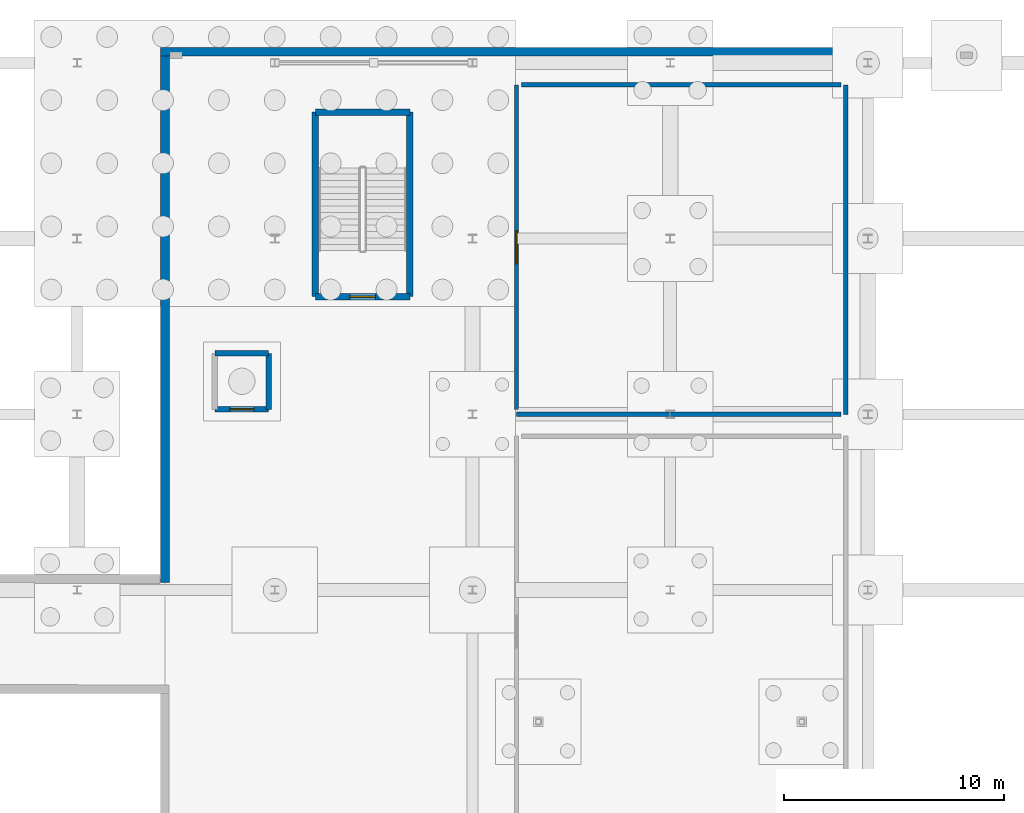
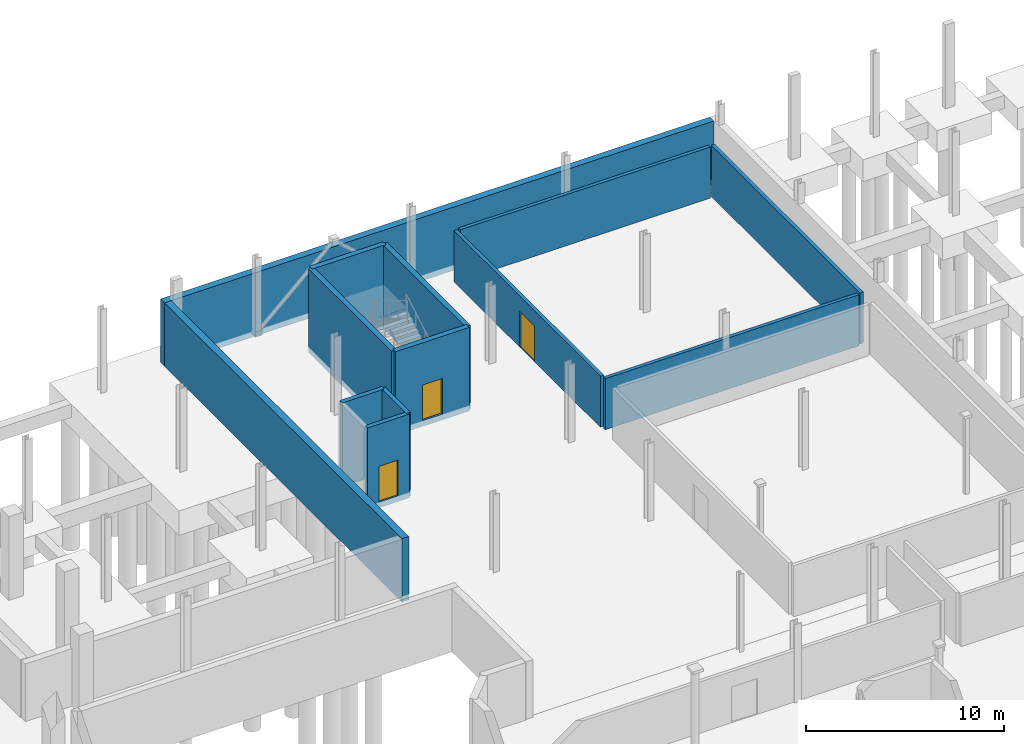
# One storey, part 29 of 37: 13 walls, 3 doors, 3 openings.
"""IFC4 building model written with IfcOpenShell, lengths in metres."""

from ifc_helpers import new_model, si_unit, direction, frame, frame_2d, origin, place, context, subcontext, project, spatial, rectangle, extrude, material, layer, layer_set, type_object, element, fill, save


model = new_model("IFC4")

# Units and contexts
model_context = context("Model", 3, precision=1e-05, world=origin(), true_north=direction((0.0, 1.0)))
body_context = subcontext(model_context, "Body", "Model", "MODEL_VIEW")
ifc_project = project(units=[si_unit("LENGTHUNIT", "METRE"), si_unit("AREAUNIT", "SQUARE_METRE"), si_unit("VOLUMEUNIT", "CUBIC_METRE"), si_unit("PLANEANGLEUNIT", "RADIAN"), si_unit("MASSUNIT", "GRAM", prefix="KILO"), si_unit("THERMODYNAMICTEMPERATUREUNIT", "KELVIN"), si_unit("POWERUNIT", "WATT")], contexts=[model_context])

# Site, building, storey
site_placement = place(None, origin())
site = spatial("IfcSite", under=ifc_project, at=site_placement, CompositionType="ELEMENT")
building_placement = place(site_placement, origin())
building = spatial("IfcBuilding", under=site, at=building_placement, Name="Zelmaris Science Centre", CompositionType="ELEMENT")
storey_placement = place(building_placement, frame((0.0, 0.0, -4.800048828125)))
storey = spatial("IfcBuildingStorey", under=building, at=storey_placement, Name="B1", CompositionType="ELEMENT", Elevation=-4.800048828125)

# Wall, opening, door
ifc_material_1 = material(Name="Concrete C40/50", Category="concrete")
ifc_layer_1 = layer(ifc_material_1, 0.300048828125, Name="Concrete C40/50")
ifc_layer_set_1 = layer_set([ifc_layer_1], Name="Concrete C40/50")
wall_type_1 = type_object("IfcWallType", Name="Core Shear Wall CW-S1 300mm", PredefinedType="SOLIDWALL", material=ifc_layer_set_1)
wall_1_placement = place(storey_placement, frame((69.14990234375, 77.35009765625, -0.349853515625), z_axis=(0.0, 0.0, 1.0), x_axis=(-1.0, 0.0, 0.0)))
wall_1 = element("IfcWall", 1, at=wall_1_placement, inside=storey, type_object=wall_type_1, Name="B1 ST-3 core shear wall near", PredefinedType="SOLIDWALL", context=body_context, shape_type="SweptSolid", body=[
    extrude(rectangle(XDim=4.2998046875, YDim=0.300048828125, at=frame_2d((2.14990234375, 0.0))), origin(), (0.0, 0.0, 1.0), 5.14990234375),
])
opening_1_placement = place(wall_1_placement, frame((1.574951171875, 0.0, 0.35009765625)))
opening_1 = element("IfcOpeningElement", 2, at=opening_1_placement, cuts=wall_1, Name="Opening D-FD90", PredefinedType="OPENING", context=body_context, shape_type="SweptSolid", body=[
    extrude(rectangle(XDim=1.14990234375, YDim=2.199951171875, at=frame_2d((0.574951171875, 1.10009765625))), frame((0.0, 0.159912109375, 0.0), z_axis=(0.0, -1.0, 0.0), x_axis=(1.0, 0.0, 0.0)), (0.0, 0.0, 1.0), 0.320068359375),
])
ifc_material_2 = material(Name="Steel ASTM A36", Category="steel")
door_type_1 = type_object("IfcDoorType", Name="Interior Door D-FD90 1150x2200", OperationType="NOTDEFINED", PredefinedType="DOOR", material=ifc_material_2)
door_1_placement = place(opening_1_placement, origin())
door_1 = element("IfcDoor", 3, at=door_1_placement, inside=storey, type_object=door_type_1, Name="B1 ST-3 exit stair fire door", OperationType="SINGLE_SWING_LEFT", OverallHeight=2.199951171875, OverallWidth=1.14990234375, PredefinedType="DOOR", context=body_context, shape_type="SweptSolid", body=[
    extrude(rectangle(XDim=1.14990234375, YDim=2.199951171875, at=frame_2d((0.574951171875, 1.10009765625))), frame((0.0, 0.02490234375, 0.0), z_axis=(0.0, -1.0, 0.0), x_axis=(1.0, 0.0, 0.0)), (0.0, 0.0, 1.0), 0.050048828125),
])
fill(opening_1, door_1)

# Walls
wall_2_placement = place(storey_placement, frame((69.14990234375, 77.35009765625, -0.349853515625), z_axis=(0.0, 0.0, 1.0), x_axis=(0.0, 1.0, 0.0)))
element("IfcWall", 4, at=wall_2_placement, inside=storey, type_object=wall_type_1, Name="B1 ST-3 core shear wall east", PredefinedType="SOLIDWALL", context=body_context, shape_type="SweptSolid", body=[
    extrude(rectangle(XDim=8.39990234375, YDim=0.300048828125, at=frame_2d((4.199951171875, 0.0))), origin(), (0.0, 0.0, 1.0), 5.14990234375),
])
wall_3_placement = place(storey_placement, frame((69.14990234375, 85.75, -0.349853515625), z_axis=(0.0, 0.0, 1.0), x_axis=(-1.0, 0.0, 0.0)))
element("IfcWall", 5, at=wall_3_placement, inside=storey, type_object=wall_type_1, Name="B1 ST-3 core shear wall far", PredefinedType="SOLIDWALL", context=body_context, shape_type="SweptSolid", body=[
    extrude(rectangle(XDim=4.2998046875, YDim=0.300048828125, at=frame_2d((2.14990234375, 0.0))), origin(), (0.0, 0.0, 1.0), 5.14990234375),
])
wall_4_placement = place(storey_placement, frame((64.85009765625, 77.35009765625, -0.349853515625), z_axis=(0.0, 0.0, 1.0), x_axis=(0.0, 1.0, 0.0)))
element("IfcWall", 6, at=wall_4_placement, inside=storey, type_object=wall_type_1, Name="B1 ST-3 core shear wall west", PredefinedType="SOLIDWALL", context=body_context, shape_type="SweptSolid", body=[
    extrude(rectangle(XDim=8.39990234375, YDim=0.300048828125, at=frame_2d((4.199951171875, 0.0))), origin(), (0.0, 0.0, 1.0), 5.14990234375),
])

# Wall, opening, door
ifc_layer_2 = layer(ifc_material_1, 0.25, Name="Concrete C40/50")
ifc_layer_set_2 = layer_set([ifc_layer_2], Name="Concrete C40/50")
wall_type_2 = type_object("IfcWallType", Name="Core Shear Wall CW-S2 250mm", PredefinedType="SOLIDWALL", material=ifc_layer_set_2)
wall_5_placement = place(storey_placement, frame((60.27490234375, 72.22509765625, -0.349853515625), z_axis=(0.0, 0.0, 1.0), x_axis=(1.0, 0.0, 0.0)))
wall_5 = element("IfcWall", 7, at=wall_5_placement, inside=storey, type_object=wall_type_2, Name="B1 LP-03 lift shaft wall -y", PredefinedType="SOLIDWALL", context=body_context, shape_type="SweptSolid", body=[
    extrude(rectangle(XDim=2.4501953125, YDim=0.25, at=frame_2d((1.22509765625, 0.0))), origin(), (0.0, 0.0, 1.0), 5.14990234375),
])
opening_2_placement = place(wall_5_placement, frame((0.675048828125, 0.0, 0.35009765625)))
opening_2 = element("IfcOpeningElement", 8, at=opening_2_placement, cuts=wall_5, Name="Opening LD-01", PredefinedType="OPENING", context=body_context, shape_type="SweptSolid", body=[
    extrude(rectangle(XDim=1.10009765625, YDim=2.199951171875, at=frame_2d((0.550048828125, 1.10009765625))), frame((0.0, 0.135009765625, 0.0), z_axis=(0.0, -1.0, 0.0), x_axis=(1.0, 0.0, 0.0)), (0.0, 0.0, 1.0), 0.27001953125),
])
door_type_2 = type_object("IfcDoorType", Name="Interior Door LD-01 1100x2200", OperationType="SLIDING_TO_LEFT", PredefinedType="DOOR", material=ifc_material_2)
door_2_placement = place(opening_2_placement, origin())
door_2 = element("IfcDoor", 9, at=door_2_placement, inside=storey, type_object=door_type_2, Name="Landing door LD-LP-03-B1", OperationType="SLIDING_TO_LEFT", OverallHeight=2.199951171875, OverallWidth=1.10009765625, PredefinedType="DOOR", context=body_context, shape_type="SweptSolid", body=[
    extrude(rectangle(XDim=1.10009765625, YDim=2.199951171875, at=frame_2d((0.550048828125, 1.10009765625))), frame((0.0, 0.02490234375, 0.0), z_axis=(0.0, -1.0, 0.0), x_axis=(1.0, 0.0, 0.0)), (0.0, 0.0, 1.0), 0.050048828125),
])
fill(opening_2, door_2)

# Walls
wall_6_placement = place(storey_placement, frame((62.72509765625, 72.22509765625, -0.349853515625), z_axis=(0.0, 0.0, 1.0), x_axis=(0.0, 1.0, 0.0)))
element("IfcWall", 10, at=wall_6_placement, inside=storey, type_object=wall_type_2, Name="B1 LP-03 lift shaft wall +x", PredefinedType="SOLIDWALL", context=body_context, shape_type="SweptSolid", body=[
    extrude(rectangle(XDim=2.5498046875, YDim=0.25, at=frame_2d((1.27490234375, 0.0))), origin(), (0.0, 0.0, 1.0), 5.14990234375),
])
wall_7_placement = place(storey_placement, frame((62.72509765625, 74.77490234375, -0.349853515625), z_axis=(0.0, 0.0, 1.0), x_axis=(-1.0, 0.0, 0.0)))
element("IfcWall", 11, at=wall_7_placement, inside=storey, type_object=wall_type_2, Name="B1 LP-03 lift shaft wall +y", PredefinedType="SOLIDWALL", context=body_context, shape_type="SweptSolid", body=[
    extrude(rectangle(XDim=2.4501953125, YDim=0.25, at=frame_2d((1.22509765625, 0.0))), origin(), (0.0, 0.0, 1.0), 5.14990234375),
])
ifc_material_3 = material(Name="Autoclaved aerated concrete blockwork", Category="masonry")
ifc_layer_3 = layer(ifc_material_3, 0.199951171875, Name="Autoclaved aerated concrete blockwork")
ifc_layer_set_3 = layer_set([ifc_layer_3], Name="Autoclaved aerated concrete blockwork")
wall_type_3 = type_object("IfcWallType", Name="Interior Wall FW-01 200mm", PredefinedType="SOLIDWALL", material=ifc_layer_set_3)
wall_8_placement = place(storey_placement, frame((89.0, 87.0, 0.0), z_axis=(0.0, 0.0, 1.0), x_axis=(0.0, -1.0, 0.0)))
element("IfcWall", 12, at=wall_8_placement, inside=storey, type_object=wall_type_3, Name="B1 Water Treatment and Pump Plant Room partition 10", PredefinedType="SOLIDWALL", context=body_context, shape_type="SweptSolid", body=[
    extrude(rectangle(XDim=15.0, YDim=0.199951171875, at=frame_2d((7.5, 0.0))), origin(), (0.0, 0.0, 1.0), 3.150146484375),
])
wall_9_placement = place(storey_placement, frame((88.780029296875, 72.0, 0.0), z_axis=(0.0, 0.0, 1.0), x_axis=(-1.0, 0.0, 0.0)))
element("IfcWall", 13, at=wall_9_placement, inside=storey, type_object=wall_type_3, Name="B1 Water Treatment and Pump Plant Room partition 11", PredefinedType="SOLIDWALL", context=body_context, shape_type="SweptSolid", body=[
    extrude(rectangle(XDim=14.775146484375, YDim=0.199951171875, at=frame_2d((7.3876953125, 0.0))), origin(), (0.0, 0.0, 1.0), 3.150146484375),
])

# Wall, opening, door
wall_10_placement = place(storey_placement, frame((74.0048828125, 72.219970703125, 0.0), z_axis=(0.0, 0.0, 1.0), x_axis=(0.0, 1.0, 0.0)))
wall_10 = element("IfcWall", 14, at=wall_10_placement, inside=storey, type_object=wall_type_3, Name="B1 Water Treatment and Pump Plant Room partition 12", PredefinedType="SOLIDWALL", context=body_context, shape_type="SweptSolid", body=[
    extrude(rectangle(XDim=14.780029296875, YDim=0.199951171875, at=frame_2d((7.39013671875, 0.0))), origin(), (0.0, 0.0, 1.0), 3.150146484375),
])
opening_3_placement = place(wall_10_placement, frame((6.639892578125, 0.0, 0.0)))
opening_3 = element("IfcOpeningElement", 15, at=opening_3_placement, cuts=wall_10, Name="Opening D-IN5", PredefinedType="OPENING", context=body_context, shape_type="SweptSolid", body=[
    extrude(rectangle(XDim=1.5, YDim=2.199951171875, at=frame_2d((0.75, 1.10009765625))), frame((0.0, 0.10986328125, 0.0), z_axis=(0.0, -1.0, 0.0), x_axis=(1.0, 0.0, 0.0)), (0.0, 0.0, 1.0), 0.219970703125),
])
door_type_3 = type_object("IfcDoorType", Name="Interior Door D-IN5 1500x2200", OperationType="NOTDEFINED", PredefinedType="DOOR", material=ifc_material_2)
door_3_placement = place(opening_3_placement, origin())
door_3 = element("IfcDoor", 16, at=door_3_placement, inside=storey, type_object=door_type_3, Name="B1 Water Treatment and Pump Plant Room door", OperationType="SINGLE_SWING_LEFT", OverallHeight=2.199951171875, OverallWidth=1.5, PredefinedType="DOOR", context=body_context, shape_type="SweptSolid", body=[
    extrude(rectangle(XDim=1.5, YDim=2.199951171875, at=frame_2d((0.75, 1.10009765625))), frame((0.0, 0.02490234375, 0.0), z_axis=(0.0, -1.0, 0.0), x_axis=(1.0, 0.0, 0.0)), (0.0, 0.0, 1.0), 0.050048828125),
])
fill(opening_3, door_3)

# Walls
wall_11_placement = place(storey_placement, frame((74.22509765625, 87.0, 0.0), z_axis=(0.0, 0.0, 1.0), x_axis=(1.0, 0.0, 0.0)))
element("IfcWall", 17, at=wall_11_placement, inside=storey, type_object=wall_type_3, Name="B1 Water Treatment and Pump Plant Room partition 13", PredefinedType="SOLIDWALL", context=body_context, shape_type="SweptSolid", body=[
    extrude(rectangle(XDim=14.554931640625, YDim=0.199951171875, at=frame_2d((7.27734375, 0.0))), origin(), (0.0, 0.0, 1.0), 3.150146484375),
])
ifc_layer_4 = layer(ifc_material_1, 0.39990234375, Name="Concrete C40/50")
ifc_layer_set_4 = layer_set([ifc_layer_4], Name="Concrete C40/50")
wall_type_4 = type_object("IfcWallType", Name="Retaining Wall RW-01 400mm", PredefinedType="USERDEFINED", material=ifc_layer_set_4)
wall_12_placement = place(storey_placement, frame((58.0, 64.35009765625, -0.349853515625), z_axis=(0.0, 0.0, 1.0), x_axis=(0.0, 1.0, 0.0)))
element("IfcWall", 18, at=wall_12_placement, inside=storey, type_object=wall_type_4, Name="B1 Perimeter retaining wall 16", ObjectType="RETAININGWALL", PredefinedType="USERDEFINED", context=body_context, shape_type="SweptSolid", body=[
    extrude(rectangle(XDim=23.94970703125, YDim=0.39990234375, at=frame_2d((11.974853515625, 0.0))), origin(), (0.0, 0.0, 1.0), 3.89990234375),
])
wall_13_placement = place(storey_placement, frame((57.800048828125, 88.5, -0.349853515625), z_axis=(0.0, 0.0, 1.0), x_axis=(1.0, 0.0, 0.0)))
element("IfcWall", 19, at=wall_13_placement, inside=storey, type_object=wall_type_4, Name="B1 Perimeter retaining wall 17", ObjectType="RETAININGWALL", PredefinedType="USERDEFINED", context=body_context, shape_type="SweptSolid", body=[
    extrude(rectangle(XDim=31.999755859375, YDim=0.39990234375, at=frame_2d((16.0, 0.0))), origin(), (0.0, 0.0, 1.0), 3.89990234375),
])

save(model, "model.ifc")
